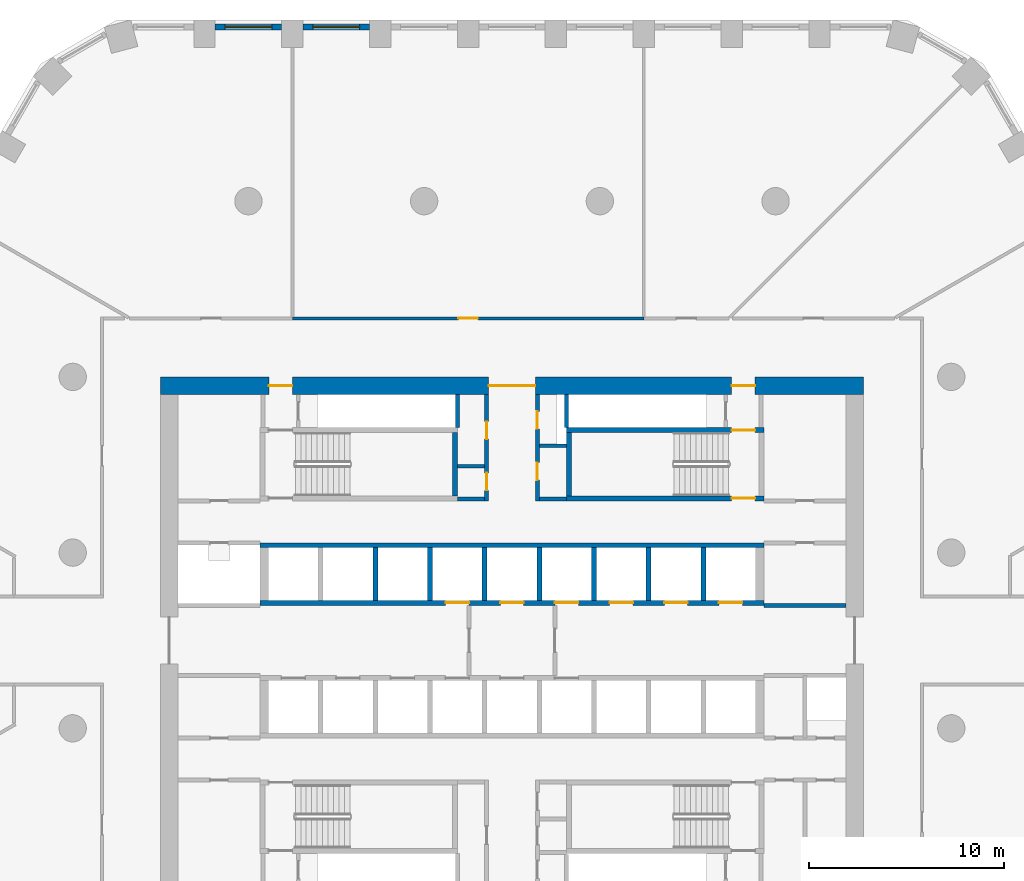
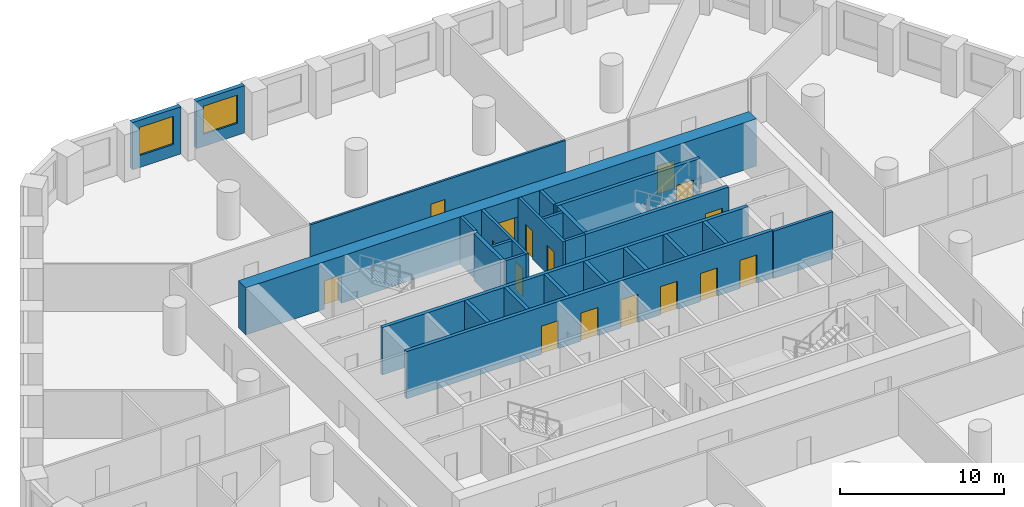
# One storey, part 6 of 10: 26 walls, 16 doors, 2 windows, 18 openings.
"""IFC4 building model written with IfcOpenShell, lengths in metres."""

from ifc_helpers import new_model, si_unit, direction, frame, frame_2d, origin, place, context, subcontext, project, spatial, polyline, rectangle, outline, extrude, material, layer, layer_set, type_object, element, fill, save


model = new_model("IFC4")

# Units and contexts
model_context = context("Model", 3, precision=1e-05, world=origin(), true_north=direction((0.0, 1.0)))
body_context = subcontext(model_context, "Body", "Model", "MODEL_VIEW")
ifc_project = project(units=[si_unit("LENGTHUNIT", "METRE"), si_unit("AREAUNIT", "SQUARE_METRE"), si_unit("VOLUMEUNIT", "CUBIC_METRE"), si_unit("PLANEANGLEUNIT", "RADIAN"), si_unit("MASSUNIT", "GRAM", prefix="KILO")], contexts=[model_context])

# Site, building, storey
site_placement = place(None, origin())
site = spatial("IfcSite", under=ifc_project, at=site_placement, CompositionType="ELEMENT")
building_placement = place(site_placement, origin())
building = spatial("IfcBuilding", under=site, at=building_placement, Name="Dhurran Vertical Campus", CompositionType="ELEMENT")
storey_placement = place(building_placement, frame((0.0, 0.0, 33.89990234375)))
storey = spatial("IfcBuildingStorey", under=building, at=storey_placement, Name="L07", CompositionType="ELEMENT", Elevation=33.89990234375)

# Wall, opening, window
ifc_material_1 = material(Name="Precast concrete C50/60", Category="concrete")
ifc_layer_1 = layer(ifc_material_1, 0.300048828125)
ifc_layer_set_1 = layer_set([ifc_layer_1], Name="Precast concrete C50/60")
wall_type_1 = type_object("IfcWallType", Name="Precast spandrel wall 300", PredefinedType="SOLIDWALL", material=ifc_layer_set_1)
wall_1_placement = place(storey_placement, frame((-7.300537109375, 31.4296875, 0.0), z_axis=(0.0, 0.0, 1.0), x_axis=(-1.0, 0.0, 0.0)))
wall_1 = element("IfcWall", 1, at=wall_1_placement, inside=storey, type_object=wall_type_1, Name="EW1 L07.32", PredefinedType="SOLIDWALL", context=body_context, shape_type="SweptSolid", body=[
    extrude(rectangle(XDim=3.39892578125, YDim=0.300048828125, at=frame_2d((1.699462890625, 0.0))), origin(), (0.0, 0.0, 1.0), 3.525146484375),
])
opening_1_placement = place(wall_1_placement, frame((0.49951171875, 0.0, 0.89990234375)))
opening_1 = element("IfcOpeningElement", 2, at=opening_1_placement, cuts=wall_1, Name="Opening WT1", PredefinedType="OPENING", context=body_context, shape_type="SweptSolid", body=[
    extrude(rectangle(XDim=2.39990234375, YDim=2.10009765625, at=frame_2d((1.199951171875, 1.050048828125))), frame((0.0, 0.159912109375, 0.0), z_axis=(0.0, -1.0, 0.0), x_axis=(1.0, 0.0, 0.0)), (0.0, 0.0, 1.0), 0.320068359375),
])
ifc_material_2 = material(Name="Aluminium frame with solar-control glass", Category="aluminium")
window_type = type_object("IfcWindowType", Name="Punched window 2400 x 2100", PartitioningType="SINGLE_PANEL", PredefinedType="WINDOW", material=ifc_material_2)
window_1_placement = place(opening_1_placement, origin())
window_1 = element("IfcWindow", 3, at=window_1_placement, inside=storey, type_object=window_type, Name="WT1 L07.32", OverallHeight=2.10009765625, OverallWidth=2.39990234375, PartitioningType="SINGLE_PANEL", PredefinedType="WINDOW", context=body_context, shape_type="SweptSolid", body=[
    extrude(rectangle(XDim=2.39990234375, YDim=2.10009765625, at=frame_2d((1.199951171875, 1.050048828125))), frame((0.0, 0.030029296875, 0.0), z_axis=(0.0, -1.0, 0.0), x_axis=(1.0, 0.0, 0.0)), (0.0, 0.0, 1.0), 0.06005859375),
])
fill(opening_1, window_1)

wall_2_placement = place(storey_placement, frame((-11.800537109375, 31.4296875, 0.0), z_axis=(0.0, 0.0, 1.0), x_axis=(-1.0, 0.0, 0.0)))
wall_2 = element("IfcWall", 4, at=wall_2_placement, inside=storey, type_object=wall_type_1, Name="EW1 L07.33", PredefinedType="SOLIDWALL", context=body_context, shape_type="SweptSolid", body=[
    extrude(rectangle(XDim=3.39892578125, YDim=0.300048828125, at=frame_2d((1.699462890625, 0.0))), origin(), (0.0, 0.0, 1.0), 3.525146484375),
])
opening_2_placement = place(wall_2_placement, frame((0.49951171875, 0.0, 0.89990234375)))
opening_2 = element("IfcOpeningElement", 5, at=opening_2_placement, cuts=wall_2, Name="Opening WT1", PredefinedType="OPENING", context=body_context, shape_type="SweptSolid", body=[
    extrude(rectangle(XDim=2.39990234375, YDim=2.10009765625, at=frame_2d((1.199951171875, 1.050048828125))), frame((0.0, 0.159912109375, 0.0), z_axis=(0.0, -1.0, 0.0), x_axis=(1.0, 0.0, 0.0)), (0.0, 0.0, 1.0), 0.320068359375),
])
window_2_placement = place(opening_2_placement, origin())
window_2 = element("IfcWindow", 6, at=window_2_placement, inside=storey, type_object=window_type, Name="WT1 L07.33", OverallHeight=2.10009765625, OverallWidth=2.39990234375, PartitioningType="SINGLE_PANEL", PredefinedType="WINDOW", context=body_context, shape_type="SweptSolid", body=[
    extrude(rectangle(XDim=2.39990234375, YDim=2.10009765625, at=frame_2d((1.199951171875, 1.050048828125))), frame((0.0, 0.030029296875, 0.0), z_axis=(0.0, -1.0, 0.0), x_axis=(1.0, 0.0, 0.0)), (0.0, 0.0, 1.0), 0.06005859375),
])
fill(opening_2, window_2)

# Wall, openings, doors
ifc_material_3 = material(Name="Concrete C60/75", Category="concrete")
ifc_layer_2 = layer(ifc_material_3, 0.89990234375)
ifc_layer_set_2 = layer_set([ifc_layer_2], Name="Concrete C60/75")
wall_type_2 = type_object("IfcWallType", Name="co-CORE-WALL-C0-900", PredefinedType="SHEAR", material=ifc_layer_set_2)
wall_3_placement = place(storey_placement, frame((-18.0, 13.050048828125, 0.0), z_axis=(0.0, 0.0, 1.0), x_axis=(1.0, 0.0, 0.0)))
wall_3 = element("IfcWall", 7, at=wall_3_placement, inside=storey, type_object=wall_type_2, Name="Core wall N L07", PredefinedType="SHEAR", context=body_context, shape_type="SweptSolid", body=[
    extrude(rectangle(XDim=36.0, YDim=0.89990234375, at=frame_2d((18.0, 0.0))), origin(), (0.0, 0.0, 1.0), 3.525146484375),
])
opening_3_placement = place(wall_3_placement, frame((16.800048828125, 0.0, 0.0)))
opening_3 = element("IfcOpeningElement", 8, at=opening_3_placement, cuts=wall_3, Name="Opening CV1", PredefinedType="OPENING", context=body_context, shape_type="SweptSolid", body=[
    extrude(rectangle(XDim=2.39990234375, YDim=2.10009765625, at=frame_2d((1.199951171875, 1.050048828125))), frame((0.0, 0.4599609375, 0.0), z_axis=(0.0, -1.0, 0.0), x_axis=(1.0, 0.0, 0.0)), (0.0, 0.0, 1.0), 0.919921875),
])
opening_4_placement = place(wall_3_placement, frame((5.550048828125, 0.0, 0.0)))
opening_4 = element("IfcOpeningElement", 9, at=opening_4_placement, cuts=wall_3, Name="Opening XD1", PredefinedType="OPENING", context=body_context, shape_type="SweptSolid", body=[
    extrude(rectangle(XDim=1.199951171875, YDim=2.10009765625, at=frame_2d((0.60009765625, 1.050048828125))), frame((0.0, 0.4599609375, 0.0), z_axis=(0.0, -1.0, 0.0), x_axis=(1.0, 0.0, 0.0)), (0.0, 0.0, 1.0), 0.919921875),
])
opening_5_placement = place(wall_3_placement, frame((29.25, 0.0, 0.0)))
opening_5 = element("IfcOpeningElement", 10, at=opening_5_placement, cuts=wall_3, Name="Opening XD2", PredefinedType="OPENING", context=body_context, shape_type="SweptSolid", body=[
    extrude(rectangle(XDim=1.199951171875, YDim=2.10009765625, at=frame_2d((0.60009765625, 1.050048828125))), frame((0.0, 0.4599609375, 0.0), z_axis=(0.0, -1.0, 0.0), x_axis=(1.0, 0.0, 0.0)), (0.0, 0.0, 1.0), 0.919921875),
])
ifc_material_4 = material(Name="Fire-rated glazed door set")
door_type_1 = type_object("IfcDoorType", Name="co-D-LOBBY 2400x2100", OperationType="DOUBLE_DOOR_DOUBLE_SWING", PredefinedType="DOOR", material=ifc_material_4)
door_1_placement = place(opening_3_placement, origin())
door_1 = element("IfcDoor", 11, at=door_1_placement, inside=storey, type_object=door_type_1, Name="Core vestibule door N L07", OperationType="DOUBLE_DOOR_DOUBLE_SWING", OverallHeight=2.10009765625, OverallWidth=2.39990234375, PredefinedType="DOOR", context=body_context, shape_type="SweptSolid", body=[
    extrude(rectangle(XDim=2.39990234375, YDim=2.10009765625, at=frame_2d((1.199951171875, 1.050048828125))), frame((0.0, 0.02490234375, 0.0), z_axis=(0.0, -1.0, 0.0), x_axis=(1.0, 0.0, 0.0)), (0.0, 0.0, 1.0), 0.050048828125),
])
fill(opening_3, door_1)
ifc_material_5 = material(Name="Fire-rated steel door set", Category="steel")
door_type_2 = type_object("IfcDoorType", Name="co-D-STAIR-EXIT 1200x2100", OperationType="SINGLE_SWING_RIGHT", PredefinedType="DOOR", material=ifc_material_5)
door_2_placement = place(opening_4_placement, origin())
door_2 = element("IfcDoor", 12, at=door_2_placement, inside=storey, type_object=door_type_2, Name="Stair ST1 exit door L07", OperationType="SINGLE_SWING_RIGHT", OverallHeight=2.10009765625, OverallWidth=1.199951171875, PredefinedType="DOOR", context=body_context, shape_type="SweptSolid", body=[
    extrude(rectangle(XDim=1.199951171875, YDim=2.10009765625, at=frame_2d((0.60009765625, 1.050048828125))), frame((0.0, 0.02490234375, 0.0), z_axis=(0.0, -1.0, 0.0), x_axis=(1.0, 0.0, 0.0)), (0.0, 0.0, 1.0), 0.050048828125),
])
fill(opening_4, door_2)
door_3_placement = place(opening_5_placement, origin())
door_3 = element("IfcDoor", 13, at=door_3_placement, inside=storey, type_object=door_type_2, Name="Stair ST2 exit door L07", OperationType="SINGLE_SWING_RIGHT", OverallHeight=2.10009765625, OverallWidth=1.199951171875, PredefinedType="DOOR", context=body_context, shape_type="SweptSolid", body=[
    extrude(rectangle(XDim=1.199951171875, YDim=2.10009765625, at=frame_2d((0.60009765625, 1.050048828125))), frame((0.0, 0.02490234375, 0.0), z_axis=(0.0, -1.0, 0.0), x_axis=(1.0, 0.0, 0.0)), (0.0, 0.0, 1.0), 0.050048828125),
])
fill(opening_5, door_3)

# Walls
ifc_material_6 = material(Name="Fire-rated masonry blockwork", Category="masonry")
ifc_layer_3 = layer(ifc_material_6, 0.199951171875)
ifc_layer_set_3 = layer_set([ifc_layer_3], Name="Fire-rated masonry blockwork")
wall_type_3 = type_object("IfcWallType", Name="co-FIRE-PARTITION-200", PredefinedType="PARTITIONING", material=ifc_layer_set_3)
for number, where, z_axis, x_axis, name in (
    (14, (-2.800048828125, 7.25, 0.0), (0.0, 0.0, 1.0), (1.0, 0.0, 0.0), "Core partition sl-NW-S L07"),
    (15, (-2.800048828125, 8.925048828125, 0.0), (0.0, 0.0, 1.0), (1.0, 0.0, 0.0), "Core partition sl-NW-cut0 L07"),
    (16, (1.39990234375, 7.25, 0.0), (0.0, 0.0, 1.0), (1.0, 0.0, 0.0), "Core partition sl-NE-S L07"),
    (17, (1.39990234375, 9.97509765625, 0.0), (0.0, 0.0, 1.0), (1.0, 0.0, 0.0), "Core partition sl-NE-cut0 L07"),
):
    element("IfcWall", number, at=place(storey_placement, frame(where, z_axis=z_axis, x_axis=x_axis)), inside=storey, type_object=wall_type_3, Name=name, PredefinedType="PARTITIONING", context=body_context, shape_type="SweptSolid", body=[
        extrude(rectangle(XDim=1.400146484375, YDim=0.199951171875, at=frame_2d((0.7001953125, 0.0))), origin(), (0.0, 0.0, 1.0), 3.525146484375),
    ])

# Wall, openings, doors
wall_4_placement = place(storey_placement, frame((-1.300048828125, 7.14990234375, 0.0), z_axis=(0.0, 0.0, 1.0), x_axis=(0.0, 1.0, 0.0)))
wall_4 = element("IfcWall", 18, at=wall_4_placement, inside=storey, type_object=wall_type_3, Name="Core partition vest-NW L07", PredefinedType="PARTITIONING", context=body_context, shape_type="SweptSolid", body=[
    extrude(rectangle(XDim=5.4501953125, YDim=0.199951171875, at=frame_2d((2.72509765625, 0.0))), origin(), (0.0, 0.0, 1.0), 3.525146484375),
])
opening_6_placement = place(wall_4_placement, frame((0.53759765625, 0.0, 0.0)))
opening_6 = element("IfcOpeningElement", 19, at=opening_6_placement, cuts=wall_4, Name="Opening T01-C5", PredefinedType="OPENING", context=body_context, shape_type="SweptSolid", body=[
    extrude(rectangle(XDim=0.89990234375, YDim=2.10009765625, at=frame_2d((0.449951171875, 1.050048828125))), frame((0.0, 0.10986328125, 0.0), z_axis=(0.0, -1.0, 0.0), x_axis=(1.0, 0.0, 0.0)), (0.0, 0.0, 1.0), 0.219970703125),
])
opening_7_placement = place(wall_4_placement, frame((3.16259765625, 0.0, 0.0)))
opening_7 = element("IfcOpeningElement", 20, at=opening_7_placement, cuts=wall_4, Name="Opening T01-C6", PredefinedType="OPENING", context=body_context, shape_type="SweptSolid", body=[
    extrude(rectangle(XDim=0.89990234375, YDim=2.10009765625, at=frame_2d((0.449951171875, 1.050048828125))), frame((0.0, 0.10986328125, 0.0), z_axis=(0.0, -1.0, 0.0), x_axis=(1.0, 0.0, 0.0)), (0.0, 0.0, 1.0), 0.219970703125),
])
ifc_material_7 = material(Name="Fire-rated timber door set", Category="wood")
door_type_3 = type_object("IfcDoorType", Name="co-D-ROOM 900x2100", OperationType="SINGLE_SWING_LEFT", PredefinedType="DOOR", material=ifc_material_7)
door_4_placement = place(opening_6_placement, origin())
door_4 = element("IfcDoor", 21, at=door_4_placement, inside=storey, type_object=door_type_3, Name="Cleaner's store door L07", OperationType="SINGLE_SWING_LEFT", OverallHeight=2.10009765625, OverallWidth=0.89990234375, PredefinedType="DOOR", context=body_context, shape_type="SweptSolid", body=[
    extrude(rectangle(XDim=0.89990234375, YDim=2.10009765625, at=frame_2d((0.449951171875, 1.050048828125))), frame((0.0, 0.02490234375, 0.0), z_axis=(0.0, -1.0, 0.0), x_axis=(1.0, 0.0, 0.0)), (0.0, 0.0, 1.0), 0.050048828125),
])
fill(opening_6, door_4)
door_5_placement = place(opening_7_placement, origin())
door_5 = element("IfcDoor", 22, at=door_5_placement, inside=storey, type_object=door_type_3, Name="Server room door L07", OperationType="SINGLE_SWING_LEFT", OverallHeight=2.10009765625, OverallWidth=0.89990234375, PredefinedType="DOOR", context=body_context, shape_type="SweptSolid", body=[
    extrude(rectangle(XDim=0.89990234375, YDim=2.10009765625, at=frame_2d((0.449951171875, 1.050048828125))), frame((0.0, 0.02490234375, 0.0), z_axis=(0.0, -1.0, 0.0), x_axis=(1.0, 0.0, 0.0)), (0.0, 0.0, 1.0), 0.050048828125),
])
fill(opening_7, door_5)

wall_5_placement = place(storey_placement, frame((1.300048828125, 7.14990234375, 0.0), z_axis=(0.0, 0.0, 1.0), x_axis=(0.0, 1.0, 0.0)))
wall_5 = element("IfcWall", 23, at=wall_5_placement, inside=storey, type_object=wall_type_3, Name="Core partition vest-NE L07", PredefinedType="PARTITIONING", context=body_context, shape_type="SweptSolid", body=[
    extrude(rectangle(XDim=5.4501953125, YDim=0.199951171875, at=frame_2d((2.72509765625, 0.0))), origin(), (0.0, 0.0, 1.0), 3.525146484375),
])
opening_8_placement = place(wall_5_placement, frame((1.0625, 0.0, 0.0)))
opening_8 = element("IfcOpeningElement", 24, at=opening_8_placement, cuts=wall_5, Name="Opening T01-C7", PredefinedType="OPENING", context=body_context, shape_type="SweptSolid", body=[
    extrude(rectangle(XDim=0.89990234375, YDim=2.10009765625, at=frame_2d((0.449951171875, 1.050048828125))), frame((0.0, 0.10986328125, 0.0), z_axis=(0.0, -1.0, 0.0), x_axis=(1.0, 0.0, 0.0)), (0.0, 0.0, 1.0), 0.219970703125),
])
opening_9_placement = place(wall_5_placement, frame((3.6875, 0.0, 0.0)))
opening_9 = element("IfcOpeningElement", 25, at=opening_9_placement, cuts=wall_5, Name="Opening T01-C8", PredefinedType="OPENING", context=body_context, shape_type="SweptSolid", body=[
    extrude(rectangle(XDim=0.89990234375, YDim=2.10009765625, at=frame_2d((0.449951171875, 1.050048828125))), frame((0.0, 0.10986328125, 0.0), z_axis=(0.0, -1.0, 0.0), x_axis=(1.0, 0.0, 0.0)), (0.0, 0.0, 1.0), 0.219970703125),
])
door_6_placement = place(opening_8_placement, origin())
door_6 = element("IfcDoor", 26, at=door_6_placement, inside=storey, type_object=door_type_3, Name="Print room door L07", OperationType="SINGLE_SWING_LEFT", OverallHeight=2.10009765625, OverallWidth=0.89990234375, PredefinedType="DOOR", context=body_context, shape_type="SweptSolid", body=[
    extrude(rectangle(XDim=0.89990234375, YDim=2.10009765625, at=frame_2d((0.449951171875, 1.050048828125))), frame((0.0, 0.02490234375, 0.0), z_axis=(0.0, -1.0, 0.0), x_axis=(1.0, 0.0, 0.0)), (0.0, 0.0, 1.0), 0.050048828125),
])
fill(opening_8, door_6)
door_7_placement = place(opening_9_placement, origin())
door_7 = element("IfcDoor", 27, at=door_7_placement, inside=storey, type_object=door_type_3, Name="Electrical riser door L07", OperationType="SINGLE_SWING_LEFT", OverallHeight=2.10009765625, OverallWidth=0.89990234375, PredefinedType="DOOR", context=body_context, shape_type="SweptSolid", body=[
    extrude(rectangle(XDim=0.89990234375, YDim=2.10009765625, at=frame_2d((0.449951171875, 1.050048828125))), frame((0.0, 0.02490234375, 0.0), z_axis=(0.0, -1.0, 0.0), x_axis=(1.0, 0.0, 0.0)), (0.0, 0.0, 1.0), 0.050048828125),
])
fill(opening_9, door_7)

# Walls
wall_6_placement = place(storey_placement, frame((12.89990234375, 1.800048828125, 0.0), z_axis=(0.0, 0.0, 1.0), x_axis=(1.0, 0.0, 0.0)))
element("IfcWall", 28, at=wall_6_placement, inside=storey, type_object=wall_type_3, Name="Core partition es-NE-l L07", PredefinedType="PARTITIONING", context=body_context, shape_type="SweptSolid", body=[
    extrude(rectangle(XDim=4.2001953125, YDim=0.199951171875, at=frame_2d((2.10009765625, 0.0))), origin(), (0.0, 0.0, 1.0), 3.525146484375),
])
for number, where, z_axis, x_axis, name in (
    (29, (-2.800048828125, 10.90087890625, 0.0), (0.0, 0.0, 1.0), (0.0, 1.0, 0.0), "Riser enclosure wall L07"),
    (30, (2.800048828125, 10.90087890625, 0.0), (0.0, 0.0, 1.0), (0.0, 1.0, 0.0), "Riser enclosure wall L07"),
):
    element("IfcWall", number, at=place(storey_placement, frame(where, z_axis=z_axis, x_axis=x_axis)), inside=storey, type_object=wall_type_3, Name=name, PredefinedType="PARTITIONING", context=body_context, shape_type="SweptSolid", body=[
        extrude(rectangle(XDim=1.6982421875, YDim=0.199951171875, at=frame_2d((0.84912109375, 0.0))), origin(), (0.0, 0.0, 1.0), 3.525146484375),
    ])

# Wall, openings, doors
ifc_material_8 = material(Name="Concrete C50/60", Category="concrete")
ifc_layer_4 = layer(ifc_material_8, 0.25)
ifc_layer_set_4 = layer_set([ifc_layer_4], Name="Concrete C50/60")
wall_type_4 = type_object("IfcWallType", Name="co-SHAFT-FRONT-250", PredefinedType="SHEAR", material=ifc_layer_set_4)
wall_7_placement = place(storey_placement, frame((-12.89990234375, 1.925048828125, 0.0), z_axis=(0.0, 0.0, 1.0), x_axis=(1.0, 0.0, 0.0)))
wall_7 = element("IfcWall", 31, at=wall_7_placement, inside=storey, type_object=wall_type_4, Name="Lift landing wall N L07", PredefinedType="SHEAR", context=body_context, shape_type="SweptSolid", body=[
    extrude(rectangle(XDim=25.7998046875, YDim=0.25, at=frame_2d((12.89990234375, 0.0))), origin(), (0.0, 0.0, 1.0), 3.525146484375),
])
opening_10_placement = place(wall_7_placement, frame((9.5, 0.0, 0.0)))
opening_10 = element("IfcOpeningElement", 32, at=opening_10_placement, cuts=wall_7, Name="Opening LD", PredefinedType="OPENING", context=body_context, shape_type="SweptSolid", body=[
    extrude(rectangle(XDim=1.199951171875, YDim=2.10009765625, at=frame_2d((0.60009765625, 1.050048828125))), frame((0.0, 0.135009765625, 0.0), z_axis=(0.0, -1.0, 0.0), x_axis=(1.0, 0.0, 0.0)), (0.0, 0.0, 1.0), 0.27001953125),
])
opening_11_placement = place(wall_7_placement, frame((12.300048828125, 0.0, 0.0)))
opening_11 = element("IfcOpeningElement", 33, at=opening_11_placement, cuts=wall_7, Name="Opening LD", PredefinedType="OPENING", context=body_context, shape_type="SweptSolid", body=[
    extrude(rectangle(XDim=1.199951171875, YDim=2.10009765625, at=frame_2d((0.60009765625, 1.050048828125))), frame((0.0, 0.135009765625, 0.0), z_axis=(0.0, -1.0, 0.0), x_axis=(1.0, 0.0, 0.0)), (0.0, 0.0, 1.0), 0.27001953125),
])
opening_12_placement = place(wall_7_placement, frame((15.10009765625, 0.0, 0.0)))
opening_12 = element("IfcOpeningElement", 34, at=opening_12_placement, cuts=wall_7, Name="Opening LD", PredefinedType="OPENING", context=body_context, shape_type="SweptSolid", body=[
    extrude(rectangle(XDim=1.199951171875, YDim=2.10009765625, at=frame_2d((0.60009765625, 1.050048828125))), frame((0.0, 0.135009765625, 0.0), z_axis=(0.0, -1.0, 0.0), x_axis=(1.0, 0.0, 0.0)), (0.0, 0.0, 1.0), 0.27001953125),
])
opening_13_placement = place(wall_7_placement, frame((17.89990234375, 0.0, 0.0)))
opening_13 = element("IfcOpeningElement", 35, at=opening_13_placement, cuts=wall_7, Name="Opening LD", PredefinedType="OPENING", context=body_context, shape_type="SweptSolid", body=[
    extrude(rectangle(XDim=1.199951171875, YDim=2.10009765625, at=frame_2d((0.60009765625, 1.050048828125))), frame((0.0, 0.135009765625, 0.0), z_axis=(0.0, -1.0, 0.0), x_axis=(1.0, 0.0, 0.0)), (0.0, 0.0, 1.0), 0.27001953125),
])
opening_14_placement = place(wall_7_placement, frame((20.699951171875, 0.0, 0.0)))
opening_14 = element("IfcOpeningElement", 36, at=opening_14_placement, cuts=wall_7, Name="Opening LD", PredefinedType="OPENING", context=body_context, shape_type="SweptSolid", body=[
    extrude(rectangle(XDim=1.199951171875, YDim=2.10009765625, at=frame_2d((0.60009765625, 1.050048828125))), frame((0.0, 0.135009765625, 0.0), z_axis=(0.0, -1.0, 0.0), x_axis=(1.0, 0.0, 0.0)), (0.0, 0.0, 1.0), 0.27001953125),
])
opening_15_placement = place(wall_7_placement, frame((23.5, 0.0, 0.0)))
opening_15 = element("IfcOpeningElement", 37, at=opening_15_placement, cuts=wall_7, Name="Opening LD", PredefinedType="OPENING", context=body_context, shape_type="SweptSolid", body=[
    extrude(rectangle(XDim=1.199951171875, YDim=2.10009765625, at=frame_2d((0.60009765625, 1.050048828125))), frame((0.0, 0.135009765625, 0.0), z_axis=(0.0, -1.0, 0.0), x_axis=(1.0, 0.0, 0.0)), (0.0, 0.0, 1.0), 0.27001953125),
])
ifc_material_9 = material(Name="Stainless steel landing door", Category="steel")
door_type_4 = type_object("IfcDoorType", Name="co-D-LANDING 1200x2100", OperationType="DOUBLE_DOOR_SLIDING", PredefinedType="DOOR", material=ifc_material_9)
door_8_placement = place(opening_10_placement, origin())
door_8 = element("IfcDoor", 38, at=door_8_placement, inside=storey, type_object=door_type_4, Name="Landing door LR1 L07", OperationType="DOUBLE_DOOR_SLIDING", OverallHeight=2.10009765625, OverallWidth=1.199951171875, PredefinedType="DOOR", context=body_context, shape_type="SweptSolid", body=[
    extrude(rectangle(XDim=1.199951171875, YDim=2.10009765625, at=frame_2d((0.60009765625, 1.050048828125))), frame((0.0, 0.02490234375, 0.0), z_axis=(0.0, -1.0, 0.0), x_axis=(1.0, 0.0, 0.0)), (0.0, 0.0, 1.0), 0.050048828125),
])
fill(opening_10, door_8)
door_9_placement = place(opening_11_placement, origin())
door_9 = element("IfcDoor", 39, at=door_9_placement, inside=storey, type_object=door_type_4, Name="Landing door FF1 L07", OperationType="DOUBLE_DOOR_SLIDING", OverallHeight=2.10009765625, OverallWidth=1.199951171875, PredefinedType="DOOR", context=body_context, shape_type="SweptSolid", body=[
    extrude(rectangle(XDim=1.199951171875, YDim=2.10009765625, at=frame_2d((0.60009765625, 1.050048828125))), frame((0.0, 0.02490234375, 0.0), z_axis=(0.0, -1.0, 0.0), x_axis=(1.0, 0.0, 0.0)), (0.0, 0.0, 1.0), 0.050048828125),
])
fill(opening_11, door_9)
door_10_placement = place(opening_12_placement, origin())
door_10 = element("IfcDoor", 40, at=door_10_placement, inside=storey, type_object=door_type_4, Name="Landing door LR2 L07", OperationType="DOUBLE_DOOR_SLIDING", OverallHeight=2.10009765625, OverallWidth=1.199951171875, PredefinedType="DOOR", context=body_context, shape_type="SweptSolid", body=[
    extrude(rectangle(XDim=1.199951171875, YDim=2.10009765625, at=frame_2d((0.60009765625, 1.050048828125))), frame((0.0, 0.02490234375, 0.0), z_axis=(0.0, -1.0, 0.0), x_axis=(1.0, 0.0, 0.0)), (0.0, 0.0, 1.0), 0.050048828125),
])
fill(opening_12, door_10)
door_11_placement = place(opening_13_placement, origin())
door_11 = element("IfcDoor", 41, at=door_11_placement, inside=storey, type_object=door_type_4, Name="Landing door LR3 L07", OperationType="DOUBLE_DOOR_SLIDING", OverallHeight=2.10009765625, OverallWidth=1.199951171875, PredefinedType="DOOR", context=body_context, shape_type="SweptSolid", body=[
    extrude(rectangle(XDim=1.199951171875, YDim=2.10009765625, at=frame_2d((0.60009765625, 1.050048828125))), frame((0.0, 0.02490234375, 0.0), z_axis=(0.0, -1.0, 0.0), x_axis=(1.0, 0.0, 0.0)), (0.0, 0.0, 1.0), 0.050048828125),
])
fill(opening_13, door_11)
door_12_placement = place(opening_14_placement, origin())
door_12 = element("IfcDoor", 42, at=door_12_placement, inside=storey, type_object=door_type_4, Name="Landing door LR4 L07", OperationType="DOUBLE_DOOR_SLIDING", OverallHeight=2.10009765625, OverallWidth=1.199951171875, PredefinedType="DOOR", context=body_context, shape_type="SweptSolid", body=[
    extrude(rectangle(XDim=1.199951171875, YDim=2.10009765625, at=frame_2d((0.60009765625, 1.050048828125))), frame((0.0, 0.02490234375, 0.0), z_axis=(0.0, -1.0, 0.0), x_axis=(1.0, 0.0, 0.0)), (0.0, 0.0, 1.0), 0.050048828125),
])
fill(opening_14, door_12)
door_13_placement = place(opening_15_placement, origin())
door_13 = element("IfcDoor", 43, at=door_13_placement, inside=storey, type_object=door_type_4, Name="Landing door SV2 L07", OperationType="DOUBLE_DOOR_SLIDING", OverallHeight=2.10009765625, OverallWidth=1.199951171875, PredefinedType="DOOR", context=body_context, shape_type="SweptSolid", body=[
    extrude(rectangle(XDim=1.199951171875, YDim=2.10009765625, at=frame_2d((0.60009765625, 1.050048828125))), frame((0.0, 0.02490234375, 0.0), z_axis=(0.0, -1.0, 0.0), x_axis=(1.0, 0.0, 0.0)), (0.0, 0.0, 1.0), 0.050048828125),
])
fill(opening_15, door_13)

# Walls
ifc_material_10 = material(Name="Concrete C50/60", Category="concrete")
ifc_layer_5 = layer(ifc_material_10, 0.25)
ifc_layer_set_5 = layer_set([ifc_layer_5], Name="Concrete C50/60")
wall_type_5 = type_object("IfcWallType", Name="co-SHAFT-MASS-250", PredefinedType="SHEAR", material=ifc_layer_set_5)
wall_8_placement = place(storey_placement, origin())
element("IfcWall", 44, at=wall_8_placement, inside=storey, type_object=wall_type_5, Name="Lift shaft wall N L07 1", PredefinedType="SHEAR", context=body_context, shape_type="SweptSolid", body=[
    extrude(outline(polyline([(-12.89990234375, 4.75), (12.89990234375, 4.75), (12.89990234375, 5.0), (-12.89990234375, 5.0), (-12.89990234375, 4.75)])), origin(), (0.0, 0.0, 1.0), 3.525146484375),
])
wall_9_placement = place(storey_placement, origin())
element("IfcWall", 45, at=wall_9_placement, inside=storey, type_object=wall_type_5, Name="Lift shaft wall N L07 4", PredefinedType="SHEAR", context=body_context, shape_type="SweptSolid", body=[
    extrude(outline(polyline([(-7.125, 2.050048828125), (-6.875, 2.050048828125), (-6.875, 4.75), (-7.125, 4.75), (-7.125, 2.050048828125)])), origin(), (0.0, 0.0, 1.0), 3.525146484375),
])
wall_10_placement = place(storey_placement, origin())
element("IfcWall", 46, at=wall_10_placement, inside=storey, type_object=wall_type_5, Name="Lift shaft wall N L07 5", PredefinedType="SHEAR", context=body_context, shape_type="SweptSolid", body=[
    extrude(outline(polyline([(-4.324951171875, 2.050048828125), (-4.074951171875, 2.050048828125), (-4.074951171875, 4.75), (-4.324951171875, 4.75), (-4.324951171875, 2.050048828125)])), origin(), (0.0, 0.0, 1.0), 3.525146484375),
])
wall_11_placement = place(storey_placement, origin())
element("IfcWall", 47, at=wall_11_placement, inside=storey, type_object=wall_type_5, Name="Lift shaft wall N L07 6", PredefinedType="SHEAR", context=body_context, shape_type="SweptSolid", body=[
    extrude(outline(polyline([(-1.52490234375, 2.050048828125), (-1.27490234375, 2.050048828125), (-1.27490234375, 4.75), (-1.52490234375, 4.75), (-1.52490234375, 2.050048828125)])), origin(), (0.0, 0.0, 1.0), 3.525146484375),
])
wall_12_placement = place(storey_placement, origin())
element("IfcWall", 48, at=wall_12_placement, inside=storey, type_object=wall_type_5, Name="Lift shaft wall N L07 7", PredefinedType="SHEAR", context=body_context, shape_type="SweptSolid", body=[
    extrude(outline(polyline([(1.27490234375, 2.050048828125), (1.52490234375, 2.050048828125), (1.52490234375, 4.75), (1.27490234375, 4.75), (1.27490234375, 2.050048828125)])), origin(), (0.0, 0.0, 1.0), 3.525146484375),
])
wall_13_placement = place(storey_placement, origin())
element("IfcWall", 49, at=wall_13_placement, inside=storey, type_object=wall_type_5, Name="Lift shaft wall N L07 8", PredefinedType="SHEAR", context=body_context, shape_type="SweptSolid", body=[
    extrude(outline(polyline([(4.074951171875, 2.050048828125), (4.324951171875, 2.050048828125), (4.324951171875, 4.75), (4.074951171875, 4.75), (4.074951171875, 2.050048828125)])), origin(), (0.0, 0.0, 1.0), 3.525146484375),
])
wall_14_placement = place(storey_placement, origin())
element("IfcWall", 50, at=wall_14_placement, inside=storey, type_object=wall_type_5, Name="Lift shaft wall N L07 9", PredefinedType="SHEAR", context=body_context, shape_type="SweptSolid", body=[
    extrude(outline(polyline([(6.875, 2.050048828125), (7.125, 2.050048828125), (7.125, 4.75), (6.875, 4.75), (6.875, 2.050048828125)])), origin(), (0.0, 0.0, 1.0), 3.525146484375),
])
wall_15_placement = place(storey_placement, origin())
element("IfcWall", 51, at=wall_15_placement, inside=storey, type_object=wall_type_5, Name="Lift shaft wall N L07 10", PredefinedType="SHEAR", context=body_context, shape_type="SweptSolid", body=[
    extrude(outline(polyline([(9.675048828125, 2.050048828125), (9.925048828125, 2.050048828125), (9.925048828125, 4.75), (9.675048828125, 4.75), (9.675048828125, 2.050048828125)])), origin(), (0.0, 0.0, 1.0), 3.525146484375),
])
ifc_material_11 = material(Name="Concrete C40/50", Category="concrete")
ifc_layer_6 = layer(ifc_material_11, 0.25)
ifc_layer_set_6 = layer_set([ifc_layer_6], Name="Concrete C40/50")
wall_type_6 = type_object("IfcWallType", Name="co-STAIR-WALL-250", PredefinedType="SHEAR", material=ifc_layer_set_6)
wall_16_placement = place(storey_placement, frame((-2.925048828125, 7.39990234375, 0.0), z_axis=(0.0, 0.0, 1.0), x_axis=(0.0, 1.0, 0.0)))
element("IfcWall", 52, at=wall_16_placement, inside=storey, type_object=wall_type_6, Name="Stair ST1 enclosure wall L07", PredefinedType="SHEAR", context=body_context, shape_type="SweptSolid", body=[
    extrude(rectangle(XDim=3.25, YDim=0.25, at=frame_2d((1.625, 0.0))), origin(), (0.0, 0.0, 1.0), 3.525146484375),
])

# Wall, opening, door
wall_17_placement = place(storey_placement, frame((2.800048828125, 7.27490234375, 0.0), z_axis=(0.0, 0.0, 1.0), x_axis=(1.0, 0.0, 0.0)))
wall_17 = element("IfcWall", 53, at=wall_17_placement, inside=storey, type_object=wall_type_6, Name="Stair ST2 enclosure wall L07", PredefinedType="SHEAR", context=body_context, shape_type="SweptSolid", body=[
    extrude(rectangle(XDim=10.099853515625, YDim=0.25, at=frame_2d((5.0498046875, 0.0))), origin(), (0.0, 0.0, 1.0), 3.525146484375),
])
opening_16_placement = place(wall_17_placement, frame((8.449951171875, 0.0, 0.0)))
opening_16 = element("IfcOpeningElement", 54, at=opening_16_placement, cuts=wall_17, Name="Opening SD2", PredefinedType="OPENING", context=body_context, shape_type="SweptSolid", body=[
    extrude(rectangle(XDim=1.199951171875, YDim=2.10009765625, at=frame_2d((0.60009765625, 1.050048828125))), frame((0.0, 0.135009765625, 0.0), z_axis=(0.0, -1.0, 0.0), x_axis=(1.0, 0.0, 0.0)), (0.0, 0.0, 1.0), 0.27001953125),
])
ifc_material_12 = material(Name="Fire-rated steel door set", Category="steel")
door_type_5 = type_object("IfcDoorType", Name="co-D-STAIR 1200x2100", OperationType="SINGLE_SWING_LEFT", PredefinedType="DOOR", material=ifc_material_12)
door_14_placement = place(opening_16_placement, origin())
door_14 = element("IfcDoor", 55, at=door_14_placement, inside=storey, type_object=door_type_5, Name="Stair ST2 door L07", OperationType="SINGLE_SWING_LEFT", OverallHeight=2.10009765625, OverallWidth=1.199951171875, PredefinedType="DOOR", context=body_context, shape_type="SweptSolid", body=[
    extrude(rectangle(XDim=1.199951171875, YDim=2.10009765625, at=frame_2d((0.60009765625, 1.050048828125))), frame((0.0, 0.02490234375, 0.0), z_axis=(0.0, -1.0, 0.0), x_axis=(1.0, 0.0, 0.0)), (0.0, 0.0, 1.0), 0.050048828125),
])
fill(opening_16, door_14)

wall_18_placement = place(storey_placement, frame((2.800048828125, 10.77490234375, 0.0), z_axis=(0.0, 0.0, 1.0), x_axis=(1.0, 0.0, 0.0)))
wall_18 = element("IfcWall", 56, at=wall_18_placement, inside=storey, type_object=wall_type_6, Name="Stair ST2 enclosure wall L07", PredefinedType="SHEAR", context=body_context, shape_type="SweptSolid", body=[
    extrude(rectangle(XDim=10.099853515625, YDim=0.25, at=frame_2d((5.0498046875, 0.0))), origin(), (0.0, 0.0, 1.0), 3.525146484375),
])
opening_17_placement = place(wall_18_placement, frame((8.449951171875, 0.0, 0.0)))
opening_17 = element("IfcOpeningElement", 57, at=opening_17_placement, cuts=wall_18, Name="Opening XS2", PredefinedType="OPENING", context=body_context, shape_type="SweptSolid", body=[
    extrude(rectangle(XDim=1.199951171875, YDim=2.10009765625, at=frame_2d((0.60009765625, 1.050048828125))), frame((0.0, 0.135009765625, 0.0), z_axis=(0.0, -1.0, 0.0), x_axis=(1.0, 0.0, 0.0)), (0.0, 0.0, 1.0), 0.27001953125),
])
door_15_placement = place(opening_17_placement, origin())
door_15 = element("IfcDoor", 58, at=door_15_placement, inside=storey, type_object=door_type_2, Name="Stair ST2 discharge door L07", OperationType="SINGLE_SWING_RIGHT", OverallHeight=2.10009765625, OverallWidth=1.199951171875, PredefinedType="DOOR", context=body_context, shape_type="SweptSolid", body=[
    extrude(rectangle(XDim=1.199951171875, YDim=2.10009765625, at=frame_2d((0.60009765625, 1.050048828125))), frame((0.0, 0.02490234375, 0.0), z_axis=(0.0, -1.0, 0.0), x_axis=(1.0, 0.0, 0.0)), (0.0, 0.0, 1.0), 0.050048828125),
])
fill(opening_17, door_15)

# Wall
wall_19_placement = place(storey_placement, frame((2.925048828125, 7.39990234375, 0.0), z_axis=(0.0, 0.0, 1.0), x_axis=(0.0, 1.0, 0.0)))
element("IfcWall", 59, at=wall_19_placement, inside=storey, type_object=wall_type_6, Name="Stair ST2 enclosure wall L07", PredefinedType="SHEAR", context=body_context, shape_type="SweptSolid", body=[
    extrude(rectangle(XDim=3.25, YDim=0.25, at=frame_2d((1.625, 0.0))), origin(), (0.0, 0.0, 1.0), 3.525146484375),
])

# Wall, opening, door
ifc_material_13 = material(Name="Gypsum board corridor wall on steel studs", Category="steel")
ifc_layer_7 = layer(ifc_material_13, 0.14990234375)
ifc_layer_set_7 = layer_set([ifc_layer_7], Name="Gypsum board corridor wall on steel studs")
wall_type_7 = type_object("IfcWallType", Name="fl-CW-150 corridor wall", PredefinedType="PARTITIONING", material=ifc_layer_set_7)
wall_20_placement = place(storey_placement, frame((6.75, 16.5, 0.0), z_axis=(0.0, 0.0, 1.0), x_axis=(-1.0, 0.0, 0.0)))
wall_20 = element("IfcWall", 60, at=wall_20_placement, inside=storey, type_object=wall_type_7, Name="Partition 07-26", PredefinedType="PARTITIONING", context=body_context, shape_type="SweptSolid", body=[
    extrude(rectangle(XDim=18.0, YDim=0.14990234375, at=frame_2d((9.0, 0.0))), origin(), (0.0, 0.0, 1.0), 3.525146484375),
])
opening_18_placement = place(wall_20_placement, frame((8.5, 0.0, 0.0)))
opening_18 = element("IfcOpeningElement", 61, at=opening_18_placement, cuts=wall_20, Name="Opening T01.10", PredefinedType="OPENING", context=body_context, shape_type="SweptSolid", body=[
    extrude(rectangle(XDim=1.0, YDim=2.10009765625, at=frame_2d((0.5, 1.050048828125))), frame((0.0, 0.0849609375, 0.0), z_axis=(0.0, -1.0, 0.0), x_axis=(1.0, 0.0, 0.0)), (0.0, 0.0, 1.0), 0.169921875),
])
ifc_material_14 = material(Name="Solid-core timber door set, fire-rated", Category="wood")
door_type_6 = type_object("IfcDoorType", Name="fl-D-1000x2100", OperationType="SINGLE_SWING_LEFT", PredefinedType="DOOR", material=ifc_material_14)
door_16_placement = place(opening_18_placement, origin())
door_16 = element("IfcDoor", 62, at=door_16_placement, inside=storey, type_object=door_type_6, Name="Door 07.10", OperationType="SINGLE_SWING_LEFT", OverallHeight=2.10009765625, OverallWidth=1.0, PredefinedType="DOOR", context=body_context, shape_type="SweptSolid", body=[
    extrude(rectangle(XDim=1.0, YDim=2.10009765625, at=frame_2d((0.5, 1.050048828125))), frame((0.0, 0.02490234375, 0.0), z_axis=(0.0, -1.0, 0.0), x_axis=(1.0, 0.0, 0.0)), (0.0, 0.0, 1.0), 0.050048828125),
])
fill(opening_18, door_16)

save(model, "model.ifc")
